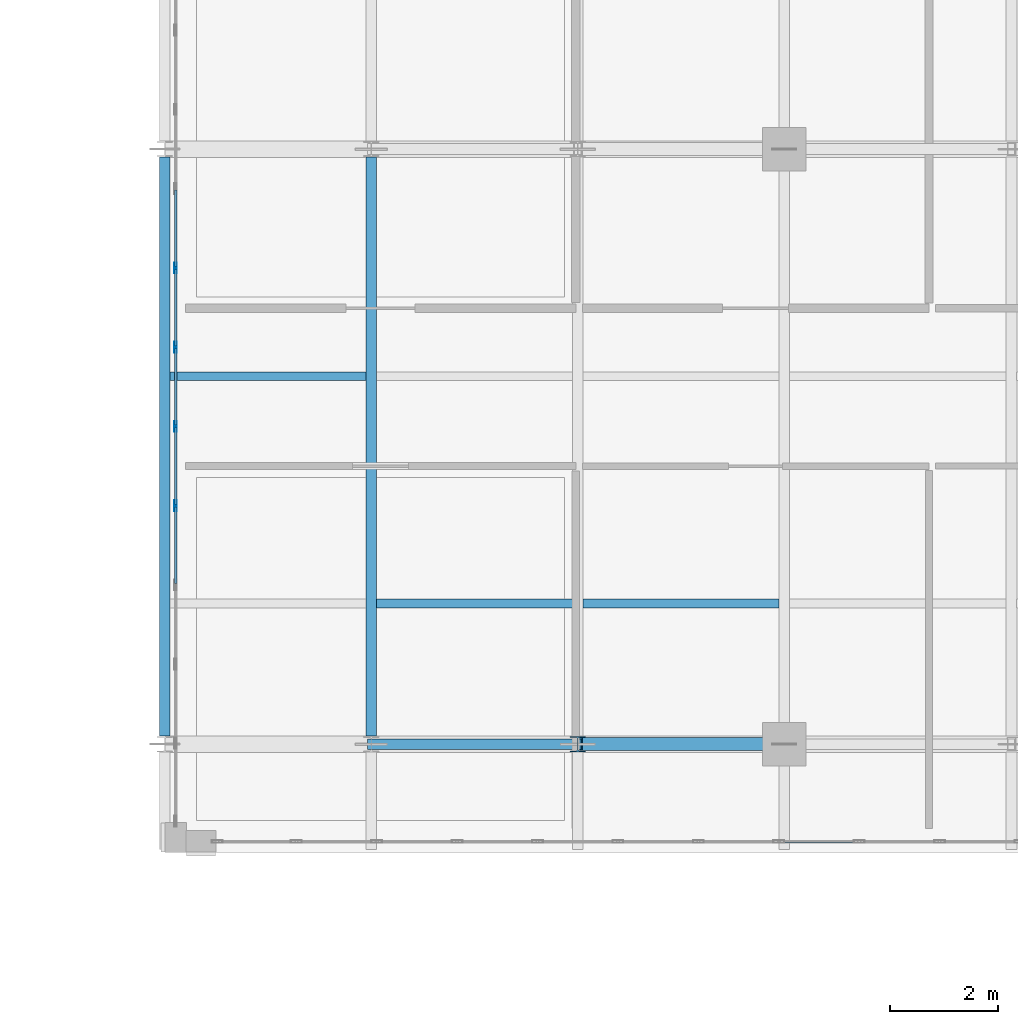
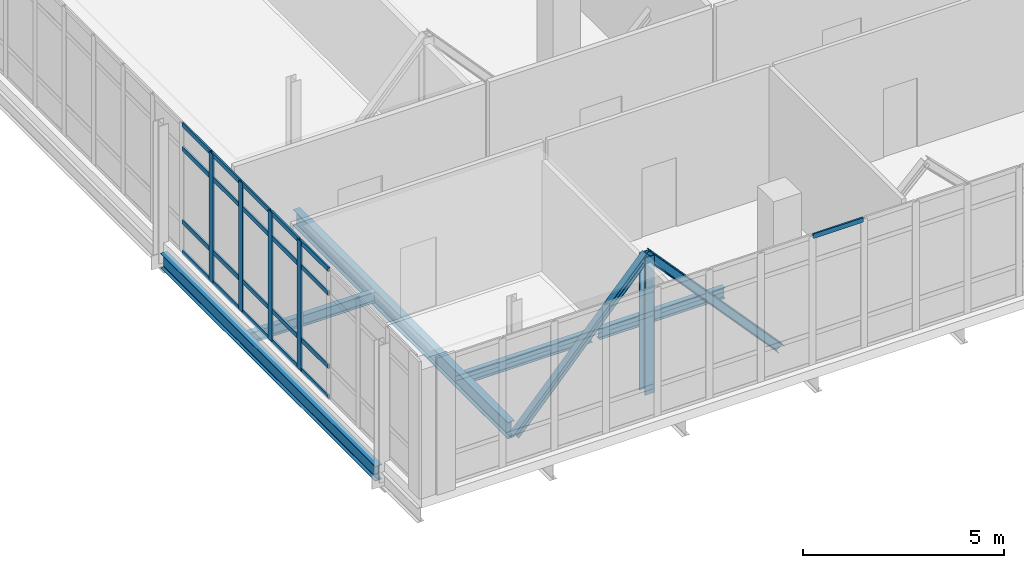
# One storey, part 3 of 158: 28 members, 5 beams, 2 elements without a shape of their own.
"""IFC4 building model written with IfcOpenShell, lengths in metres."""

from ifc_helpers import new_model, si_unit, direction, frame, origin, origin_2d, place, context, subcontext, project, spatial, hollow_rectangle, i_section, extrude, material, layer, layer_set, material_profile, profile_set, type_object, element, aggregate, save


model = new_model("IFC4")

# Units and contexts
model_context = context("Model", 3, precision=1e-05, world=origin(), true_north=direction((0.0, 1.0)))
body_context = subcontext(model_context, "Body", "Model", "MODEL_VIEW")
ifc_project = project(units=[si_unit("LENGTHUNIT", "METRE"), si_unit("AREAUNIT", "SQUARE_METRE"), si_unit("VOLUMEUNIT", "CUBIC_METRE"), si_unit("PLANEANGLEUNIT", "RADIAN"), si_unit("MASSUNIT", "GRAM", prefix="KILO")], contexts=[model_context])

# Site, building, storey
site_placement = place(None, origin())
site = spatial("IfcSite", under=ifc_project, at=site_placement, CompositionType="ELEMENT")
building_placement = place(site_placement, origin())
building = spatial("IfcBuilding", under=site, at=building_placement, Name="Qalavern Law Courts", CompositionType="ELEMENT")
storey_placement = place(building_placement, frame((0.0, 0.0, 18.60009765625)))
storey = spatial("IfcBuildingStorey", under=building, at=storey_placement, Name="L04", CompositionType="ELEMENT", Elevation=18.60009765625)

# Curtain wall, members
ifc_material_1 = material(Name="Anodised aluminium and insulated glazing", Category="aluminium")
ifc_layer = layer(ifc_material_1, 0.199951171875)
ifc_layer_set = layer_set([ifc_layer], Name="Anodised aluminium and insulated glazing")
curtain_wall_type = type_object("IfcCurtainWallType", Name="ENV-CW-FOYER", PredefinedType="USERDEFINED", material=ifc_layer_set)
curtain_wall_1_placement = place(storey_placement, origin())
curtain_wall_1 = element("IfcCurtainWall", 1, at=curtain_wall_1_placement, inside=storey, type_object=curtain_wall_type, Name="V1 unitised curtain wall L04 west 1", ObjectType="UNITISED CURTAIN WALL", PredefinedType="USERDEFINED")
ifc_material_2 = material(Name="Anodised aluminium", Category="aluminium")
ifc_material_profile_1 = material_profile(ifc_material_2, hollow_rectangle(XDim=0.048095703125, YDim=0.199951171875, WallThickness=0.00439453125, at=origin_2d()), Name="ALU MULLION 48x200")
ifc_profile_set_1 = profile_set([ifc_material_profile_1], Name="Anodised aluminium")
member_type_1 = type_object("IfcMemberType", Name="ENV-CWM-48x200", PredefinedType="MULLION", material=ifc_profile_set_1)
member_1_placement = place(storey_placement, frame((5.550048828125, 18.802978515625, 0.0), z_axis=(0.0, 0.0, 1.0), x_axis=(1.0, 0.0, 0.0)))
member_1 = element("IfcMember", 2, at=member_1_placement, type_object=member_type_1, Name="CW-01 mullion 11", PredefinedType="MULLION", context=body_context, shape_type="SweptSolid", body=[
    extrude(hollow_rectangle(XDim=0.048095703125, YDim=0.199951171875, WallThickness=0.00439453125, at=origin_2d()), origin(), (0.0, 0.0, 1.0), 3.9248046875),
])
member_2_placement = place(storey_placement, frame((5.550048828125, 17.338134765625, 0.0), z_axis=(0.0, 0.0, 1.0), x_axis=(1.0, 0.0, 0.0)))
member_2 = element("IfcMember", 3, at=member_2_placement, type_object=member_type_1, Name="CW-01 mullion 12", PredefinedType="MULLION", context=body_context, shape_type="SweptSolid", body=[
    extrude(hollow_rectangle(XDim=0.048095703125, YDim=0.199951171875, WallThickness=0.00439453125, at=origin_2d()), origin(), (0.0, 0.0, 1.0), 3.9248046875),
])
member_3_placement = place(storey_placement, frame((5.550048828125, 15.87353515625, 0.0), z_axis=(0.0, 0.0, 1.0), x_axis=(1.0, 0.0, 0.0)))
member_3 = element("IfcMember", 4, at=member_3_placement, type_object=member_type_1, Name="CW-01 mullion 13", PredefinedType="MULLION", context=body_context, shape_type="SweptSolid", body=[
    extrude(hollow_rectangle(XDim=0.048095703125, YDim=0.199951171875, WallThickness=0.00439453125, at=origin_2d()), origin(), (0.0, 0.0, 1.0), 3.9248046875),
])
member_4_placement = place(storey_placement, frame((5.550048828125, 14.408935546875, 0.0), z_axis=(0.0, 0.0, 1.0), x_axis=(1.0, 0.0, 0.0)))
member_4 = element("IfcMember", 5, at=member_4_placement, type_object=member_type_1, Name="CW-01 mullion 14", PredefinedType="MULLION", context=body_context, shape_type="SweptSolid", body=[
    extrude(hollow_rectangle(XDim=0.048095703125, YDim=0.199951171875, WallThickness=0.00439453125, at=origin_2d()), origin(), (0.0, 0.0, 1.0), 3.9248046875),
])

# Curtain wall, member
curtain_wall_2_placement = place(storey_placement, origin())
curtain_wall_2 = element("IfcCurtainWall", 6, at=curtain_wall_2_placement, inside=storey, type_object=curtain_wall_type, Name="V1 unitised curtain wall L04 south 1", ObjectType="UNITISED CURTAIN WALL", PredefinedType="USERDEFINED")
ifc_material_profile_2 = material_profile(ifc_material_2, hollow_rectangle(XDim=0.048095703125, YDim=0.139892578125, WallThickness=0.00390625, at=origin_2d()), Name="ALU TRANSOM 48x140")
ifc_profile_set_2 = profile_set([ifc_material_profile_2], Name="Anodised aluminium")
member_type_2 = type_object("IfcMemberType", Name="ENV-CWT-48x140", PredefinedType="USERDEFINED", material=ifc_profile_set_2)
member_5_placement = place(storey_placement, frame((16.7255859375, 8.199951171875, 3.90087890625), z_axis=(1.0, 0.0, 0.0), x_axis=(0.0, 1.0, 0.0)))
member_5 = element("IfcMember", 7, at=member_5_placement, type_object=member_type_2, Name="CW-01 transom 8.4", ObjectType="TRANSOM", PredefinedType="USERDEFINED", context=body_context, shape_type="SweptSolid", body=[
    extrude(hollow_rectangle(XDim=0.048095703125, YDim=0.139892578125, WallThickness=0.00390625, at=origin_2d()), origin(), (0.0, 0.0, 1.0), 1.438720703125),
])
aggregate(curtain_wall_2, [member_5])

# Member
member_6_placement = place(storey_placement, frame((5.550048828125, 20.24365234375, 0.02392578125), z_axis=(0.0, -1.0, 0.0), x_axis=(1.0, 0.0, 0.0)))
member_6 = element("IfcMember", 8, at=member_6_placement, type_object=member_type_2, Name="CW-01 transom 10.1", ObjectType="TRANSOM", PredefinedType="USERDEFINED", context=body_context, shape_type="SweptSolid", body=[
    extrude(hollow_rectangle(XDim=0.048095703125, YDim=0.139892578125, WallThickness=0.00390625, at=origin_2d()), origin(), (0.0, 0.0, 1.0), 1.416748046875),
])

member_7_placement = place(storey_placement, frame((5.550048828125, 20.24365234375, 0.949951171875), z_axis=(0.0, -1.0, 0.0), x_axis=(1.0, 0.0, 0.0)))
member_7 = element("IfcMember", 9, at=member_7_placement, type_object=member_type_2, Name="CW-01 transom 10.2", ObjectType="TRANSOM", PredefinedType="USERDEFINED", context=body_context, shape_type="SweptSolid", body=[
    extrude(hollow_rectangle(XDim=0.048095703125, YDim=0.139892578125, WallThickness=0.00390625, at=origin_2d()), origin(), (0.0, 0.0, 1.0), 1.416748046875),
])

member_8_placement = place(storey_placement, frame((5.550048828125, 20.24365234375, 3.1748046875), z_axis=(0.0, -1.0, 0.0), x_axis=(1.0, 0.0, 0.0)))
member_8 = element("IfcMember", 10, at=member_8_placement, type_object=member_type_2, Name="CW-01 transom 10.3", ObjectType="TRANSOM", PredefinedType="USERDEFINED", context=body_context, shape_type="SweptSolid", body=[
    extrude(hollow_rectangle(XDim=0.048095703125, YDim=0.139892578125, WallThickness=0.00390625, at=origin_2d()), origin(), (0.0, 0.0, 1.0), 1.416748046875),
])

member_9_placement = place(storey_placement, frame((5.550048828125, 20.24365234375, 3.90087890625), z_axis=(0.0, -1.0, 0.0), x_axis=(1.0, 0.0, 0.0)))
member_9 = element("IfcMember", 11, at=member_9_placement, type_object=member_type_2, Name="CW-01 transom 10.4", ObjectType="TRANSOM", PredefinedType="USERDEFINED", context=body_context, shape_type="SweptSolid", body=[
    extrude(hollow_rectangle(XDim=0.048095703125, YDim=0.139892578125, WallThickness=0.00390625, at=origin_2d()), origin(), (0.0, 0.0, 1.0), 1.416748046875),
])

member_10_placement = place(storey_placement, frame((5.550048828125, 18.779052734375, 0.02392578125), z_axis=(0.0, -1.0, 0.0), x_axis=(1.0, 0.0, 0.0)))
member_10 = element("IfcMember", 12, at=member_10_placement, type_object=member_type_2, Name="CW-01 transom 11.1", ObjectType="TRANSOM", PredefinedType="USERDEFINED", context=body_context, shape_type="SweptSolid", body=[
    extrude(hollow_rectangle(XDim=0.048095703125, YDim=0.139892578125, WallThickness=0.00390625, at=origin_2d()), origin(), (0.0, 0.0, 1.0), 1.416748046875),
])

member_11_placement = place(storey_placement, frame((5.550048828125, 18.779052734375, 0.949951171875), z_axis=(0.0, -1.0, 0.0), x_axis=(1.0, 0.0, 0.0)))
member_11 = element("IfcMember", 13, at=member_11_placement, type_object=member_type_2, Name="CW-01 transom 11.2", ObjectType="TRANSOM", PredefinedType="USERDEFINED", context=body_context, shape_type="SweptSolid", body=[
    extrude(hollow_rectangle(XDim=0.048095703125, YDim=0.139892578125, WallThickness=0.00390625, at=origin_2d()), origin(), (0.0, 0.0, 1.0), 1.416748046875),
])

member_12_placement = place(storey_placement, frame((5.550048828125, 18.779052734375, 3.1748046875), z_axis=(0.0, -1.0, 0.0), x_axis=(1.0, 0.0, 0.0)))
member_12 = element("IfcMember", 14, at=member_12_placement, type_object=member_type_2, Name="CW-01 transom 11.3", ObjectType="TRANSOM", PredefinedType="USERDEFINED", context=body_context, shape_type="SweptSolid", body=[
    extrude(hollow_rectangle(XDim=0.048095703125, YDim=0.139892578125, WallThickness=0.00390625, at=origin_2d()), origin(), (0.0, 0.0, 1.0), 1.416748046875),
])

member_13_placement = place(storey_placement, frame((5.550048828125, 18.779052734375, 3.90087890625), z_axis=(0.0, -1.0, 0.0), x_axis=(1.0, 0.0, 0.0)))
member_13 = element("IfcMember", 15, at=member_13_placement, type_object=member_type_2, Name="CW-01 transom 11.4", ObjectType="TRANSOM", PredefinedType="USERDEFINED", context=body_context, shape_type="SweptSolid", body=[
    extrude(hollow_rectangle(XDim=0.048095703125, YDim=0.139892578125, WallThickness=0.00390625, at=origin_2d()), origin(), (0.0, 0.0, 1.0), 1.416748046875),
])

member_14_placement = place(storey_placement, frame((5.550048828125, 17.314208984375, 0.02392578125), z_axis=(0.0, -1.0, 0.0), x_axis=(1.0, 0.0, 0.0)))
member_14 = element("IfcMember", 16, at=member_14_placement, type_object=member_type_2, Name="CW-01 transom 12.1", ObjectType="TRANSOM", PredefinedType="USERDEFINED", context=body_context, shape_type="SweptSolid", body=[
    extrude(hollow_rectangle(XDim=0.048095703125, YDim=0.139892578125, WallThickness=0.00390625, at=origin_2d()), origin(), (0.0, 0.0, 1.0), 1.416748046875),
])

member_15_placement = place(storey_placement, frame((5.550048828125, 17.314208984375, 0.949951171875), z_axis=(0.0, -1.0, 0.0), x_axis=(1.0, 0.0, 0.0)))
member_15 = element("IfcMember", 17, at=member_15_placement, type_object=member_type_2, Name="CW-01 transom 12.2", ObjectType="TRANSOM", PredefinedType="USERDEFINED", context=body_context, shape_type="SweptSolid", body=[
    extrude(hollow_rectangle(XDim=0.048095703125, YDim=0.139892578125, WallThickness=0.00390625, at=origin_2d()), origin(), (0.0, 0.0, 1.0), 1.416748046875),
])

member_16_placement = place(storey_placement, frame((5.550048828125, 17.314208984375, 3.1748046875), z_axis=(0.0, -1.0, 0.0), x_axis=(1.0, 0.0, 0.0)))
member_16 = element("IfcMember", 18, at=member_16_placement, type_object=member_type_2, Name="CW-01 transom 12.3", ObjectType="TRANSOM", PredefinedType="USERDEFINED", context=body_context, shape_type="SweptSolid", body=[
    extrude(hollow_rectangle(XDim=0.048095703125, YDim=0.139892578125, WallThickness=0.00390625, at=origin_2d()), origin(), (0.0, 0.0, 1.0), 1.416748046875),
])

member_17_placement = place(storey_placement, frame((5.550048828125, 17.314208984375, 3.90087890625), z_axis=(0.0, -1.0, 0.0), x_axis=(1.0, 0.0, 0.0)))
member_17 = element("IfcMember", 19, at=member_17_placement, type_object=member_type_2, Name="CW-01 transom 12.4", ObjectType="TRANSOM", PredefinedType="USERDEFINED", context=body_context, shape_type="SweptSolid", body=[
    extrude(hollow_rectangle(XDim=0.048095703125, YDim=0.139892578125, WallThickness=0.00390625, at=origin_2d()), origin(), (0.0, 0.0, 1.0), 1.416748046875),
])

member_18_placement = place(storey_placement, frame((5.550048828125, 15.849609375, 0.02392578125), z_axis=(0.0, -1.0, 0.0), x_axis=(1.0, 0.0, 0.0)))
member_18 = element("IfcMember", 20, at=member_18_placement, type_object=member_type_2, Name="CW-01 transom 13.1", ObjectType="TRANSOM", PredefinedType="USERDEFINED", context=body_context, shape_type="SweptSolid", body=[
    extrude(hollow_rectangle(XDim=0.048095703125, YDim=0.139892578125, WallThickness=0.00390625, at=origin_2d()), origin(), (0.0, 0.0, 1.0), 1.416748046875),
])

member_19_placement = place(storey_placement, frame((5.550048828125, 15.849609375, 0.949951171875), z_axis=(0.0, -1.0, 0.0), x_axis=(1.0, 0.0, 0.0)))
member_19 = element("IfcMember", 21, at=member_19_placement, type_object=member_type_2, Name="CW-01 transom 13.2", ObjectType="TRANSOM", PredefinedType="USERDEFINED", context=body_context, shape_type="SweptSolid", body=[
    extrude(hollow_rectangle(XDim=0.048095703125, YDim=0.139892578125, WallThickness=0.00390625, at=origin_2d()), origin(), (0.0, 0.0, 1.0), 1.416748046875),
])

member_20_placement = place(storey_placement, frame((5.550048828125, 15.849609375, 3.1748046875), z_axis=(0.0, -1.0, 0.0), x_axis=(1.0, 0.0, 0.0)))
member_20 = element("IfcMember", 22, at=member_20_placement, type_object=member_type_2, Name="CW-01 transom 13.3", ObjectType="TRANSOM", PredefinedType="USERDEFINED", context=body_context, shape_type="SweptSolid", body=[
    extrude(hollow_rectangle(XDim=0.048095703125, YDim=0.139892578125, WallThickness=0.00390625, at=origin_2d()), origin(), (0.0, 0.0, 1.0), 1.416748046875),
])

member_21_placement = place(storey_placement, frame((5.550048828125, 15.849609375, 3.90087890625), z_axis=(0.0, -1.0, 0.0), x_axis=(1.0, 0.0, 0.0)))
member_21 = element("IfcMember", 23, at=member_21_placement, type_object=member_type_2, Name="CW-01 transom 13.4", ObjectType="TRANSOM", PredefinedType="USERDEFINED", context=body_context, shape_type="SweptSolid", body=[
    extrude(hollow_rectangle(XDim=0.048095703125, YDim=0.139892578125, WallThickness=0.00390625, at=origin_2d()), origin(), (0.0, 0.0, 1.0), 1.416748046875),
])

member_22_placement = place(storey_placement, frame((5.550048828125, 14.384765625, 0.02392578125), z_axis=(0.0, -1.0, 0.0), x_axis=(1.0, 0.0, 0.0)))
member_22 = element("IfcMember", 24, at=member_22_placement, type_object=member_type_2, Name="CW-01 transom 14.1", ObjectType="TRANSOM", PredefinedType="USERDEFINED", context=body_context, shape_type="SweptSolid", body=[
    extrude(hollow_rectangle(XDim=0.048095703125, YDim=0.139892578125, WallThickness=0.00390625, at=origin_2d()), origin(), (0.0, 0.0, 1.0), 1.416748046875),
])

member_23_placement = place(storey_placement, frame((5.550048828125, 14.384765625, 0.949951171875), z_axis=(0.0, -1.0, 0.0), x_axis=(1.0, 0.0, 0.0)))
member_23 = element("IfcMember", 25, at=member_23_placement, type_object=member_type_2, Name="CW-01 transom 14.2", ObjectType="TRANSOM", PredefinedType="USERDEFINED", context=body_context, shape_type="SweptSolid", body=[
    extrude(hollow_rectangle(XDim=0.048095703125, YDim=0.139892578125, WallThickness=0.00390625, at=origin_2d()), origin(), (0.0, 0.0, 1.0), 1.416748046875),
])

member_24_placement = place(storey_placement, frame((5.550048828125, 14.384765625, 3.1748046875), z_axis=(0.0, -1.0, 0.0), x_axis=(1.0, 0.0, 0.0)))
member_24 = element("IfcMember", 26, at=member_24_placement, type_object=member_type_2, Name="CW-01 transom 14.3", ObjectType="TRANSOM", PredefinedType="USERDEFINED", context=body_context, shape_type="SweptSolid", body=[
    extrude(hollow_rectangle(XDim=0.048095703125, YDim=0.139892578125, WallThickness=0.00390625, at=origin_2d()), origin(), (0.0, 0.0, 1.0), 1.416748046875),
])

member_25_placement = place(storey_placement, frame((5.550048828125, 14.384765625, 3.90087890625), z_axis=(0.0, -1.0, 0.0), x_axis=(1.0, 0.0, 0.0)))
member_25 = element("IfcMember", 27, at=member_25_placement, type_object=member_type_2, Name="CW-01 transom 14.4", ObjectType="TRANSOM", PredefinedType="USERDEFINED", context=body_context, shape_type="SweptSolid", body=[
    extrude(hollow_rectangle(XDim=0.048095703125, YDim=0.139892578125, WallThickness=0.00390625, at=origin_2d()), origin(), (0.0, 0.0, 1.0), 1.416748046875),
])

aggregate(curtain_wall_1, [member_1, member_2, member_3, member_4, member_6, member_7, member_8, member_9, member_10, member_11, member_12, member_13, member_14, member_15, member_16, member_17, member_18, member_19, member_20, member_21, member_22, member_23, member_24, member_25])

# Beam
ifc_material_3 = material(Name="Steel S355", Category="steel")
ifc_material_profile_3 = material_profile(ifc_material_3, i_section(OverallWidth=0.199951171875, OverallDepth=0.5, WebThickness=0.01025390625, FlangeThickness=0.01611328125, FilletRadius=0.02099609375, at=origin_2d()), Name="IPE 500")
ifc_profile_set_3 = profile_set([ifc_material_profile_3], Name="Steel S355")
beam_type_1 = type_object("IfcBeamType", Name="STR-BM-IPE500", PredefinedType="BEAM", material=ifc_profile_set_3)
beam_1_placement = place(storey_placement, frame((9.166748046875, 10.14794921875, -0.530029296875), z_axis=(0.0, 1.0, 0.0), x_axis=(-1.0, 0.0, 0.0)))
element("IfcBeam", 28, at=beam_1_placement, inside=storey, type_object=beam_type_1, Name="Foyer transverse beam L04-7.2", PredefinedType="BEAM", context=body_context, shape_type="SweptSolid", body=[
    extrude(i_section(OverallWidth=0.199951171875, OverallDepth=0.5, WebThickness=0.01025390625, FlangeThickness=0.01611328125, FilletRadius=0.02099609375, at=origin_2d()), origin(), (0.0, 0.0, 1.0), 10.7041015625),
])

# Members
ifc_material_profile_4 = material_profile(ifc_material_3, i_section(OverallWidth=0.199951171875, OverallDepth=0.199951171875, WebThickness=0.009033203125, FlangeThickness=0.014892578125, FilletRadius=0.01806640625, at=origin_2d()), Name="HEB 200")
ifc_profile_set_4 = profile_set([ifc_material_profile_4], Name="Steel S355")
member_type_3 = type_object("IfcMemberType", Name="STR-BR-HEB200", PredefinedType="BRACE", material=ifc_profile_set_4)
member_26_placement = place(storey_placement, frame((12.9833984375, 10.0, 3.578857421875), z_axis=(-0.673944237707, 0.0, -0.738782217207), x_axis=(0.0, -1.0, 0.0)))
element("IfcMember", 29, at=member_26_placement, inside=storey, type_object=member_type_3, Name="Cantilever truss T1 diagonal L04-6", PredefinedType="BRACE", context=body_context, shape_type="SweptSolid", body=[
    extrude(i_section(OverallWidth=0.199951171875, OverallDepth=0.199951171875, WebThickness=0.009033203125, FlangeThickness=0.014892578125, FilletRadius=0.01806640625, at=origin_2d()), origin(), (0.0, 0.0, 1.0), 5.6630859375),
])
ifc_material_profile_5 = material_profile(ifc_material_3, i_section(OverallWidth=0.239990234375, OverallDepth=0.239990234375, WebThickness=0.010009765625, FlangeThickness=0.01708984375, FilletRadius=0.02099609375, at=origin_2d()), Name="HEB 240")
ifc_profile_set_5 = profile_set([ifc_material_profile_5], Name="Steel S355")
member_type_4 = type_object("IfcMemberType", Name="STR-BR-HEB240", PredefinedType="BRACE", material=ifc_profile_set_5)
member_27_placement = place(storey_placement, frame((16.800048828125, 10.0, -0.60498046875), z_axis=(-0.673944237707, 0.0, 0.738782217207), x_axis=(0.0, -1.0, 0.0)))
element("IfcMember", 30, at=member_27_placement, inside=storey, type_object=member_type_4, Name="Cantilever truss T1 diagonal L04-5", PredefinedType="BRACE", context=body_context, shape_type="SweptSolid", body=[
    extrude(i_section(OverallWidth=0.239990234375, OverallDepth=0.239990234375, WebThickness=0.010009765625, FlangeThickness=0.01708984375, FilletRadius=0.02099609375, at=origin_2d()), origin(), (0.0, 0.0, 1.0), 5.6630859375),
])

# Beams
ifc_material_profile_6 = material_profile(ifc_material_3, i_section(OverallWidth=0.159912109375, OverallDepth=0.330078125, WebThickness=0.007568359375, FlangeThickness=0.011474609375, FilletRadius=0.01806640625, at=origin_2d()), Name="IPE 330")
ifc_profile_set_6 = profile_set([ifc_material_profile_6], Name="Steel S355")
beam_type_2 = type_object("IfcBeamType", Name="STR-JST-IPE330", PredefinedType="JOIST", material=ifc_profile_set_6)
for number, where, z_axis, x_axis, name in (
    (31, (13.081298828125, 12.60009765625, -0.445068359375), (1.0, 0.0, 0.0), (0.0, 1.0, 0.0), "Foyer floor joist L04-5.1"),
    (32, (9.2646484375, 12.60009765625, -0.445068359375), (1.0, 0.0, 0.0), (0.0, 1.0, 0.0), "Foyer floor joist L04-6.1"),
    (33, (5.447998046875, 16.800048828125, -0.445068359375), (1.0, 0.0, 0.0), (0.0, 1.0, 0.0), "Foyer floor joist L04-7.2"),
):
    element("IfcBeam", number, at=place(storey_placement, frame(where, z_axis=z_axis, x_axis=x_axis)), inside=storey, type_object=beam_type_2, Name=name, PredefinedType="JOIST", context=body_context, shape_type="SweptSolid", body=[
        extrude(i_section(OverallWidth=0.159912109375, OverallDepth=0.330078125, WebThickness=0.007568359375, FlangeThickness=0.011474609375, FilletRadius=0.01806640625, at=origin_2d()), origin(), (0.0, 0.0, 1.0), 3.62060546875),
    ])

# Member
ifc_material_profile_7 = material_profile(ifc_material_3, i_section(OverallWidth=0.280029296875, OverallDepth=0.280029296875, WebThickness=0.010498046875, FlangeThickness=0.01806640625, FilletRadius=0.02392578125, at=origin_2d()), Name="HEB 280")
ifc_profile_set_7 = profile_set([ifc_material_profile_7], Name="Steel S355")
member_type_5 = type_object("IfcMemberType", Name="STR-POST-HEB280", PredefinedType="POST", material=ifc_profile_set_7)
member_28_placement = place(storey_placement, frame((12.9833984375, 10.0, -0.60498046875), z_axis=(0.0, 0.0, 1.0), x_axis=(1.0, 0.0, 0.0)))
element("IfcMember", 34, at=member_28_placement, inside=storey, type_object=member_type_5, Name="Cantilever truss T1 post L04-1", PredefinedType="POST", context=body_context, shape_type="SweptSolid", body=[
    extrude(i_section(OverallWidth=0.280029296875, OverallDepth=0.280029296875, WebThickness=0.010498046875, FlangeThickness=0.01806640625, FilletRadius=0.02392578125, at=origin_2d()), origin(), (0.0, 0.0, 1.0), 4.183837890625),
])

# Beam
ifc_material_profile_8 = material_profile(ifc_material_3, i_section(OverallWidth=0.18994140625, OverallDepth=0.449951171875, WebThickness=0.009521484375, FlangeThickness=0.0146484375, FilletRadius=0.02099609375, at=origin_2d()), Name="IPE 450")
ifc_profile_set_8 = profile_set([ifc_material_profile_8], Name="Steel S355")
beam_type_3 = type_object("IfcBeamType", Name="STR-SP-IPE450", PredefinedType="SPANDREL", material=ifc_profile_set_8)
beam_2_placement = place(storey_placement, frame((5.35009765625, 10.14794921875, -0.505126953125), z_axis=(0.0, 1.0, 0.0), x_axis=(-1.0, 0.0, 0.0)))
element("IfcBeam", 35, at=beam_2_placement, inside=storey, type_object=beam_type_3, Name="Foyer transverse beam L04-8.2", PredefinedType="SPANDREL", context=body_context, shape_type="SweptSolid", body=[
    extrude(i_section(OverallWidth=0.18994140625, OverallDepth=0.449951171875, WebThickness=0.009521484375, FlangeThickness=0.0146484375, FilletRadius=0.02099609375, at=origin_2d()), origin(), (0.0, 0.0, 1.0), 10.7041015625),
])

save(model, "model.ifc")
